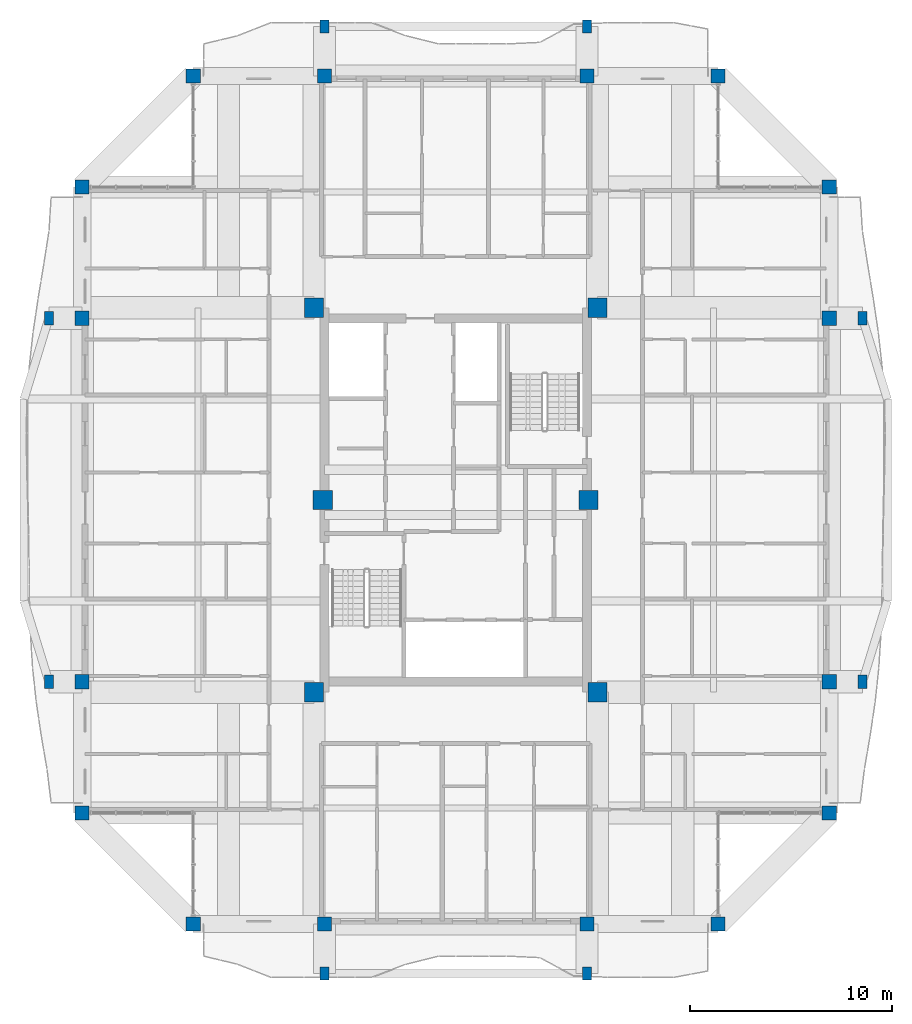
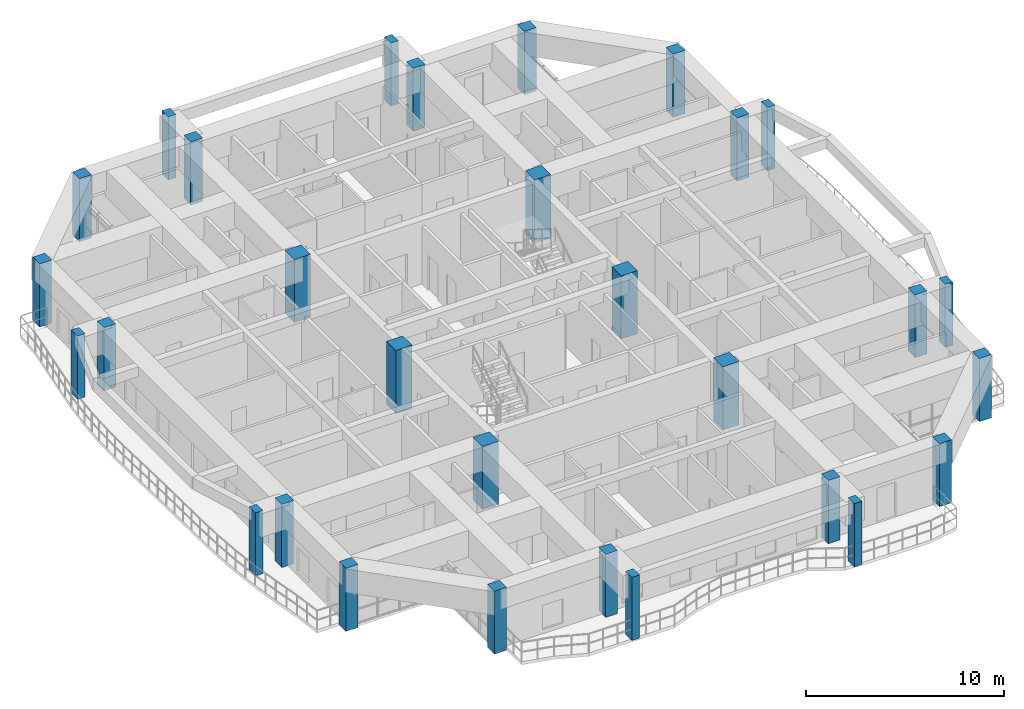
# One storey, part 1 of 22: 30 columns.
"""IFC4 building model written with IfcOpenShell, lengths in metres."""

from ifc_helpers import new_model, si_unit, direction, frame, origin, origin_2d, place, context, subcontext, project, spatial, rectangle, extrude, source, transform, mapped, material, material_profile, profile_set, type_object, element, save


model = new_model("IFC4")

# Units and contexts
model_context = context("Model", 3, precision=1e-05, world=origin(), true_north=direction((0.0, 1.0)))
body_context = subcontext(model_context, "Body", "Model", "MODEL_VIEW")
ifc_project = project(units=[si_unit("LENGTHUNIT", "METRE"), si_unit("AREAUNIT", "SQUARE_METRE"), si_unit("VOLUMEUNIT", "CUBIC_METRE"), si_unit("PLANEANGLEUNIT", "RADIAN"), si_unit("MASSUNIT", "GRAM", prefix="KILO")], contexts=[model_context])

# Site, building, storey
site_placement = place(None, origin())
site = spatial("IfcSite", under=ifc_project, at=site_placement, CompositionType="ELEMENT")
building_placement = place(site_placement, origin())
building = spatial("IfcBuilding", under=site, at=building_placement, Name="Saelheon Loggia Tower", CompositionType="ELEMENT")
storey_placement = place(building_placement, frame((0.0, 0.0, 216.300048828125)))
storey = spatial("IfcBuildingStorey", under=building, at=storey_placement, Name="L67", CompositionType="ELEMENT", Elevation=216.300048828125)

# Columns
ifc_material_1 = material(Name="Concrete C45/55", Category="concrete")
ifc_material_profile_1 = material_profile(ifc_material_1, rectangle(XDim=0.949951171875, YDim=0.949951171875, at=origin_2d()), Name="RC-950x950")
ifc_profile_set_1 = profile_set([ifc_material_profile_1], Name="Concrete C45/55")
column_type_1 = type_object("IfcColumnType", Name="Col_Core_RC950", PredefinedType="COLUMN", material=ifc_profile_set_1)
shared_shape_1 = source(origin(), body_context, "Body", "SweptSolid", [
    extrude(rectangle(XDim=0.949951171875, YDim=0.949951171875, at=origin_2d()), origin(), (0.0, 0.0, 1.0), 3.89990234375),
])
for number, where, z_axis, x_axis, name in (
    (1, (30.97998046875, 17.47998046875, 0.0), (0.0, 0.0, 1.0), (1.0, 0.0, 0.0), "L67 Core Column CR-SW"),
    (2, (45.02001953125, 17.47998046875, 0.0), (0.0, 0.0, 1.0), (1.0, 0.0, 0.0), "L67 Core Column CR-SE"),
    (3, (30.97998046875, 36.52001953125, 0.0), (0.0, 0.0, 1.0), (1.0, 0.0, 0.0), "L67 Core Column CR-NW"),
    (4, (45.02001953125, 36.52001953125, 0.0), (0.0, 0.0, 1.0), (1.0, 0.0, 0.0), "L67 Core Column CR-NE"),
    (5, (31.419921875, 27.0, 0.0), (0.0, 0.0, 1.0), (1.0, 0.0, 0.0), "L67 Core Column CR-MW"),
    (6, (44.580078125, 27.0, 0.0), (0.0, 0.0, 1.0), (1.0, 0.0, 0.0), "L67 Core Column CR-ME"),
):
    element("IfcColumn", number, at=place(storey_placement, frame(where, z_axis=z_axis, x_axis=x_axis)), inside=storey, type_object=column_type_1, Name=name, PredefinedType="COLUMN", context=body_context, shape_type="MappedRepresentation", body=[
        mapped(shared_shape_1, transform((0.0, 0.0, 0.0), scale=1.0)),
    ])
ifc_material_2 = material(Name="Precast Concrete C45/55", Category="concrete")
ifc_material_profile_2 = material_profile(ifc_material_2, rectangle(XDim=0.449951171875, YDim=0.64990234375, at=origin_2d()), Name="RC-450x650")
ifc_profile_set_2 = profile_set([ifc_material_profile_2], Name="Precast Concrete C45/55")
column_type_2 = type_object("IfcColumnType", Name="Col_Loggia_Pilaster_650", PredefinedType="PILASTER", material=ifc_profile_set_2)
shared_shape_2 = source(origin(), body_context, "Body", "SweptSolid", [
    extrude(rectangle(XDim=0.449951171875, YDim=0.64990234375, at=origin_2d()), origin(), (0.0, 0.0, 1.0), 3.89990234375),
])
for number, where, z_axis, x_axis, name in (
    (7, (31.5, 3.550048828125, 0.0), (0.0, 0.0, 1.0), (1.0, 0.0, 0.0), "L67 Loggia Frame Pilaster LP-S1"),
    (8, (44.5, 3.550048828125, 0.0), (0.0, 0.0, 1.0), (1.0, 0.0, 0.0), "L67 Loggia Frame Pilaster LP-S2"),
    (9, (31.5, 50.449951171875, 0.0), (0.0, 0.0, 1.0), (1.0, 0.0, 0.0), "L67 Loggia Frame Pilaster LP-N1"),
    (10, (44.5, 50.449951171875, 0.0), (0.0, 0.0, 1.0), (1.0, 0.0, 0.0), "L67 Loggia Frame Pilaster LP-N2"),
    (11, (58.14990234375, 18.0, 0.0), (0.0, 0.0, 1.0), (1.0, 0.0, 0.0), "L67 Loggia Frame Pilaster LP-E1"),
    (12, (58.14990234375, 36.0, 0.0), (0.0, 0.0, 1.0), (1.0, 0.0, 0.0), "L67 Loggia Frame Pilaster LP-E2"),
    (13, (17.85009765625, 18.0, 0.0), (0.0, 0.0, 1.0), (1.0, 0.0, 0.0), "L67 Loggia Frame Pilaster LP-W1"),
    (14, (17.85009765625, 36.0, 0.0), (0.0, 0.0, 1.0), (1.0, 0.0, 0.0), "L67 Loggia Frame Pilaster LP-W2"),
):
    element("IfcColumn", number, at=place(storey_placement, frame(where, z_axis=z_axis, x_axis=x_axis)), inside=storey, type_object=column_type_2, Name=name, PredefinedType="PILASTER", context=body_context, shape_type="MappedRepresentation", body=[
        mapped(shared_shape_2, transform((0.0, 0.0, 0.0), scale=1.0)),
    ])
ifc_material_profile_3 = material_profile(ifc_material_1, rectangle(XDim=0.699951171875, YDim=0.699951171875, at=origin_2d()), Name="RC-700x700")
ifc_profile_set_3 = profile_set([ifc_material_profile_3], Name="Concrete C45/55")
column_type_3 = type_object("IfcColumnType", Name="Col_Perim_RC700", PredefinedType="COLUMN", material=ifc_profile_set_3)
shared_shape_3 = source(origin(), body_context, "Body", "SweptSolid", [
    extrude(rectangle(XDim=0.699951171875, YDim=0.699951171875, at=origin_2d()), origin(), (0.0, 0.0, 1.0), 3.89990234375),
])
for number, where, z_axis, x_axis, name in (
    (15, (25.0, 6.0, 0.0), (0.0, 0.0, 1.0), (1.0, 0.0, 0.0), "L67 Perimeter Column TP-S1"),
    (16, (31.5, 6.0, 0.0), (0.0, 0.0, 1.0), (1.0, 0.0, 0.0), "L67 Perimeter Column TP-SA"),
    (17, (44.5, 6.0, 0.0), (0.0, 0.0, 1.0), (1.0, 0.0, 0.0), "L67 Perimeter Column TP-SB"),
    (18, (51.0, 6.0, 0.0), (0.0, 0.0, 1.0), (1.0, 0.0, 0.0), "L67 Perimeter Column TP-S2"),
    (19, (56.5, 11.5, 0.0), (0.0, 0.0, 1.0), (1.0, 0.0, 0.0), "L67 Perimeter Column TP-E1"),
    (20, (56.5, 18.0, 0.0), (0.0, 0.0, 1.0), (1.0, 0.0, 0.0), "L67 Perimeter Column TP-EA"),
    (21, (56.5, 36.0, 0.0), (0.0, 0.0, 1.0), (1.0, 0.0, 0.0), "L67 Perimeter Column TP-EB"),
    (22, (56.5, 42.5, 0.0), (0.0, 0.0, 1.0), (1.0, 0.0, 0.0), "L67 Perimeter Column TP-E2"),
    (23, (51.0, 48.0, 0.0), (0.0, 0.0, 1.0), (1.0, 0.0, 0.0), "L67 Perimeter Column TP-N2"),
    (24, (44.5, 48.0, 0.0), (0.0, 0.0, 1.0), (1.0, 0.0, 0.0), "L67 Perimeter Column TP-NB"),
    (25, (31.5, 48.0, 0.0), (0.0, 0.0, 1.0), (1.0, 0.0, 0.0), "L67 Perimeter Column TP-NA"),
    (26, (25.0, 48.0, 0.0), (0.0, 0.0, 1.0), (1.0, 0.0, 0.0), "L67 Perimeter Column TP-N1"),
    (27, (19.5, 42.5, 0.0), (0.0, 0.0, 1.0), (1.0, 0.0, 0.0), "L67 Perimeter Column TP-W2"),
    (28, (19.5, 36.0, 0.0), (0.0, 0.0, 1.0), (1.0, 0.0, 0.0), "L67 Perimeter Column TP-WB"),
    (29, (19.5, 18.0, 0.0), (0.0, 0.0, 1.0), (1.0, 0.0, 0.0), "L67 Perimeter Column TP-WA"),
    (30, (19.5, 11.5, 0.0), (0.0, 0.0, 1.0), (1.0, 0.0, 0.0), "L67 Perimeter Column TP-W1"),
):
    element("IfcColumn", number, at=place(storey_placement, frame(where, z_axis=z_axis, x_axis=x_axis)), inside=storey, type_object=column_type_3, Name=name, PredefinedType="COLUMN", context=body_context, shape_type="MappedRepresentation", body=[
        mapped(shared_shape_3, transform((0.0, 0.0, 0.0), scale=1.0)),
    ])

save(model, "model.ifc")
